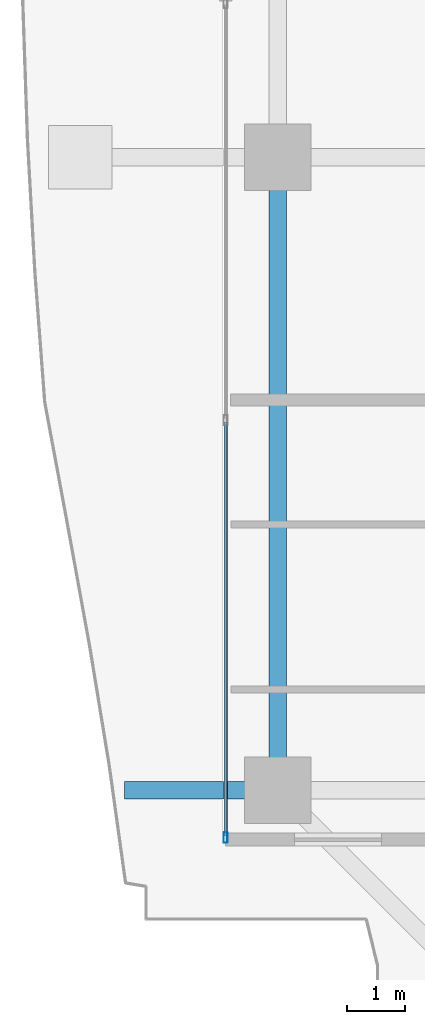
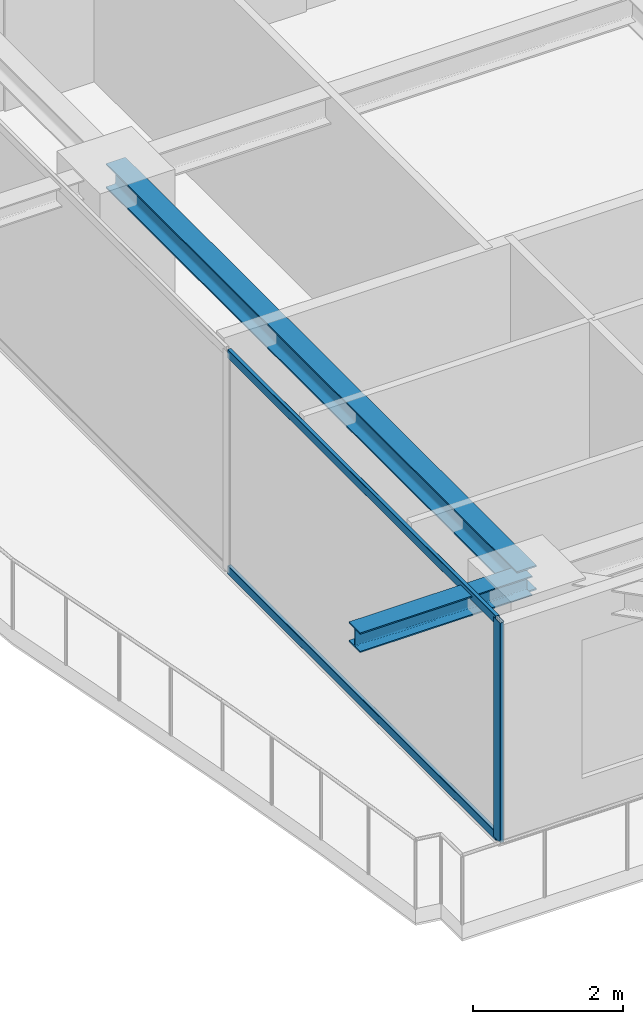
# One storey, part 3 of 40: 3 members, 2 beams, 1 element without a shape of its own.
"""IFC4 building model written with IfcOpenShell, lengths in metres."""

from ifc_helpers import new_model, si_unit, direction, frame, origin, origin_2d, place, context, subcontext, project, spatial, hollow_rectangle, i_section, extrude, source, transform, mapped, material, layer, layer_set, material_profile, profile_set, type_object, element, aggregate, save


model = new_model("IFC4")

# Units and contexts
model_context = context("Model", 3, precision=1e-05, world=origin(), true_north=direction((0.0, 1.0)))
body_context = subcontext(model_context, "Body", "Model", "MODEL_VIEW")
ifc_project = project(units=[si_unit("LENGTHUNIT", "METRE"), si_unit("AREAUNIT", "SQUARE_METRE"), si_unit("VOLUMEUNIT", "CUBIC_METRE"), si_unit("PLANEANGLEUNIT", "RADIAN"), si_unit("MASSUNIT", "GRAM", prefix="KILO")], contexts=[model_context])

# Site, building, storey
site_placement = place(None, origin())
site = spatial("IfcSite", under=ifc_project, at=site_placement, CompositionType="ELEMENT")
building_placement = place(site_placement, origin())
building = spatial("IfcBuilding", under=site, at=building_placement, Name="Serunith Strait Residences", CompositionType="ELEMENT")
storey_placement = place(building_placement, frame((0.0, 0.0, 252.800048828125)))
storey = spatial("IfcBuildingStorey", under=building, at=storey_placement, Name="L63", CompositionType="ELEMENT", Elevation=252.800048828125)

# Beams
ifc_material_1 = material(Name="Steel S355J2", Category="steel")
ifc_material_profile_1 = material_profile(ifc_material_1, i_section(OverallWidth=0.300048828125, OverallDepth=0.39990234375, WebThickness=0.013427734375, FlangeThickness=0.02392578125, FilletRadius=0.027099609375, at=origin_2d()), Name="HEB 400")
ifc_profile_set_1 = profile_set([ifc_material_profile_1], Name="Steel S355J2")
beam_type_1 = type_object("IfcBeamType", Name="BM-HEB400", PredefinedType="BEAM", material=ifc_profile_set_1)
shared_shape_1 = source(origin(), body_context, "Body", "SweptSolid", [
    extrude(i_section(OverallWidth=0.300048828125, OverallDepth=0.39990234375, WebThickness=0.013427734375, FlangeThickness=0.02392578125, FilletRadius=0.027099609375, at=origin_2d()), origin(), (0.0, 0.0, 1.0), 10.949951171875),
])
beam_1_placement = place(storey_placement, frame((8.300048828125, 21.0, 3.386962890625), z_axis=(0.0, -1.0, 0.0), x_axis=(1.0, 0.0, 0.0)))
element("IfcBeam", 1, at=beam_1_placement, inside=storey, type_object=beam_type_1, Name="L63 Perimeter Ring Beam 15", PredefinedType="BEAM", context=body_context, shape_type="MappedRepresentation", body=[
    mapped(shared_shape_1, transform((0.0, 0.0, 0.0), scale=1.0)),
])
ifc_material_profile_2 = material_profile(ifc_material_1, i_section(OverallWidth=0.300048828125, OverallDepth=0.320068359375, WebThickness=0.011474609375, FlangeThickness=0.0205078125, FilletRadius=0.027099609375, at=origin_2d()), Name="HEB 320")
ifc_profile_set_2 = profile_set([ifc_material_profile_2], Name="Steel S355J2")
beam_type_2 = type_object("IfcBeamType", Name="BM-HEB320", PredefinedType="BEAM", material=ifc_profile_set_2)
shared_shape_2 = source(origin(), body_context, "Body", "SweptSolid", [
    extrude(i_section(OverallWidth=0.300048828125, OverallDepth=0.320068359375, WebThickness=0.011474609375, FlangeThickness=0.0205078125, FilletRadius=0.027099609375, at=origin_2d()), origin(), (0.0, 0.0, 1.0), 2.64892578125),
])
beam_2_placement = place(storey_placement, frame((8.300048828125, 10.050048828125, 3.39697265625), z_axis=(-1.0, 0.0, 0.0), x_axis=(0.0, -1.0, 0.0)))
element("IfcBeam", 2, at=beam_2_placement, inside=storey, type_object=beam_type_2, Name="L64 Cantilevered Balcony Rib TC-W1", PredefinedType="BEAM", context=body_context, shape_type="MappedRepresentation", body=[
    mapped(shared_shape_2, transform((0.0, 0.0, 0.0), scale=1.0)),
])

# Curtain wall, members
ifc_material_2 = material(Name="Pale-Champagne Anodised Aluminium", Category="aluminium")
ifc_layer = layer(ifc_material_2, 0.199951171875, Name="Pale-Champagne Anodised Aluminium")
ifc_layer_set = layer_set([ifc_layer], Name="Pale-Champagne Anodised Aluminium")
curtain_wall_type = type_object("IfcCurtainWallType", Name="CW-SYS4", PredefinedType="NOTDEFINED", material=ifc_layer_set)
curtain_wall_placement = place(storey_placement, origin())
curtain_wall = element("IfcCurtainWall", 3, at=curtain_wall_placement, inside=storey, type_object=curtain_wall_type, Name="L63 W Unitised Fritted Curtain Wall", PredefinedType="NOTDEFINED")
ifc_material_profile_3 = material_profile(ifc_material_2, hollow_rectangle(XDim=0.06494140625, YDim=0.179931640625, WallThickness=0.00341796875, InnerFilletRadius=0.00537109375, OuterFilletRadius=0.0087890625, at=origin_2d()), Name="ALU 180x65x3.5")
ifc_profile_set_3 = profile_set([ifc_material_profile_3], Name="Pale-Champagne Anodised Aluminium")
member_type_1 = type_object("IfcMemberType", Name="CW-SYS4-MULL", PredefinedType="MULLION", material=ifc_profile_set_3)
shared_shape_3 = source(origin(), body_context, "Body", "SweptSolid", [
    extrude(hollow_rectangle(XDim=0.06494140625, YDim=0.179931640625, WallThickness=0.00341796875, InnerFilletRadius=0.00537109375, OuterFilletRadius=0.0087890625, at=origin_2d()), origin(), (0.0, 0.0, 1.0), 3.574951171875),
])
member_1_placement = place(storey_placement, frame((7.39990234375, 9.232421875, 0.0), z_axis=(0.0, 0.0, 1.0), x_axis=(1.0, 0.0, 0.0)))
member_1 = element("IfcMember", 4, at=member_1_placement, type_object=member_type_1, Name="CW-4 mullion 3", PredefinedType="MULLION", context=body_context, shape_type="MappedRepresentation", body=[
    mapped(shared_shape_3, transform((0.0, 0.0, 0.0), scale=1.0)),
])
ifc_material_profile_4 = material_profile(ifc_material_2, hollow_rectangle(XDim=0.06005859375, YDim=0.139892578125, WallThickness=0.00341796875, InnerFilletRadius=0.00537109375, OuterFilletRadius=0.0087890625, at=origin_2d()), Name="ALU 140x60x3.5")
ifc_profile_set_4 = profile_set([ifc_material_profile_4], Name="Pale-Champagne Anodised Aluminium")
member_type_2 = type_object("IfcMemberType", Name="CW-SYS4-TRAN", PredefinedType="USERDEFINED", material=ifc_profile_set_4)
shared_shape_4 = source(origin(), body_context, "Body", "SweptSolid", [
    extrude(hollow_rectangle(XDim=0.06005859375, YDim=0.139892578125, WallThickness=0.00341796875, InnerFilletRadius=0.00537109375, OuterFilletRadius=0.0087890625, at=origin_2d()), origin(), (0.0, 0.0, 1.0), 7.152587890625),
])
member_2_placement = place(storey_placement, frame((7.39990234375, 16.41748046875, 0.030029296875), z_axis=(0.0, -1.0, 0.0), x_axis=(1.0, 0.0, 0.0)))
member_2 = element("IfcMember", 5, at=member_2_placement, type_object=member_type_2, Name="CW-4 transom 2.1", ObjectType="TRANSOM", PredefinedType="USERDEFINED", context=body_context, shape_type="MappedRepresentation", body=[
    mapped(shared_shape_4, transform((0.0, 0.0, 0.0), scale=1.0)),
])
member_3_placement = place(storey_placement, frame((7.39990234375, 16.41748046875, 3.544921875), z_axis=(0.0, -1.0, 0.0), x_axis=(1.0, 0.0, 0.0)))
member_3 = element("IfcMember", 6, at=member_3_placement, type_object=member_type_2, Name="CW-4 transom 2.2", ObjectType="TRANSOM", PredefinedType="USERDEFINED", context=body_context, shape_type="MappedRepresentation", body=[
    mapped(shared_shape_4, transform((0.0, 0.0, 0.0), scale=1.0)),
])
aggregate(curtain_wall, [member_1, member_2, member_3])

save(model, "model.ifc")
